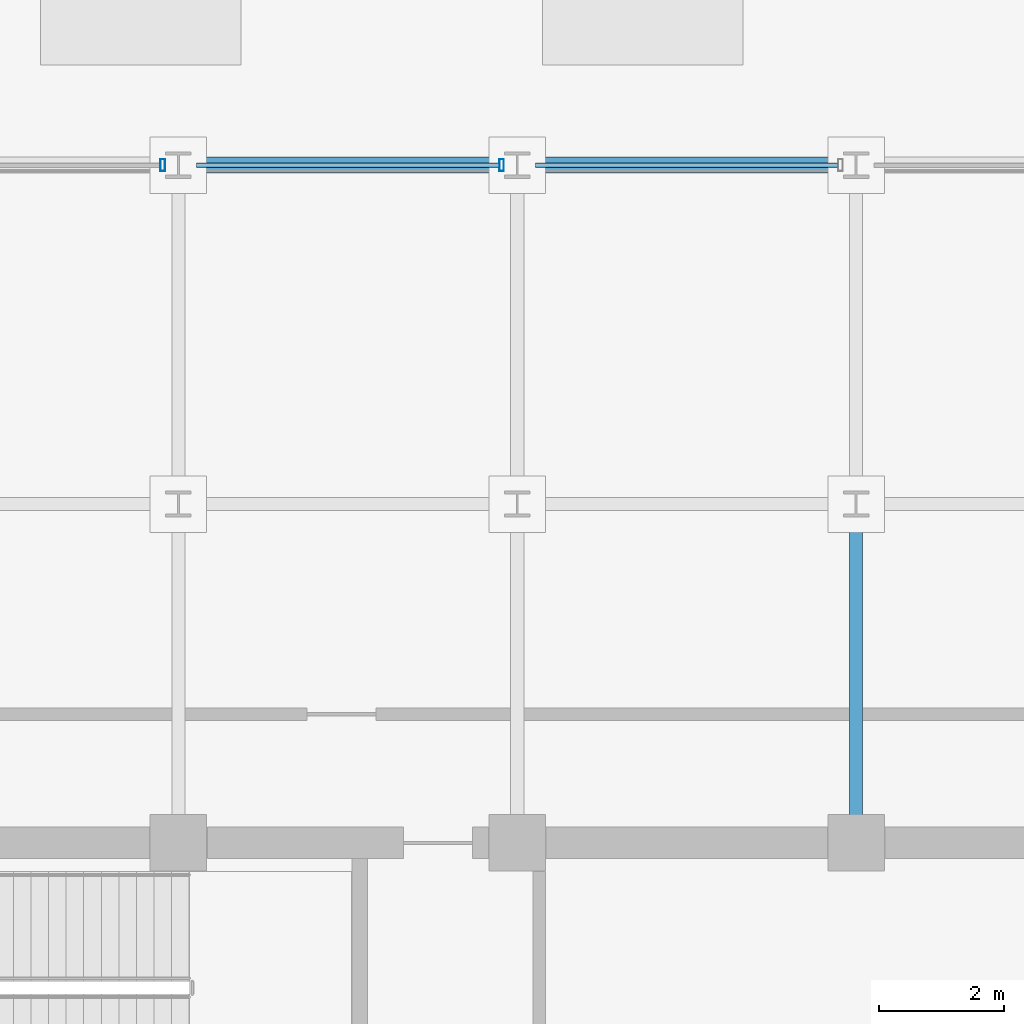
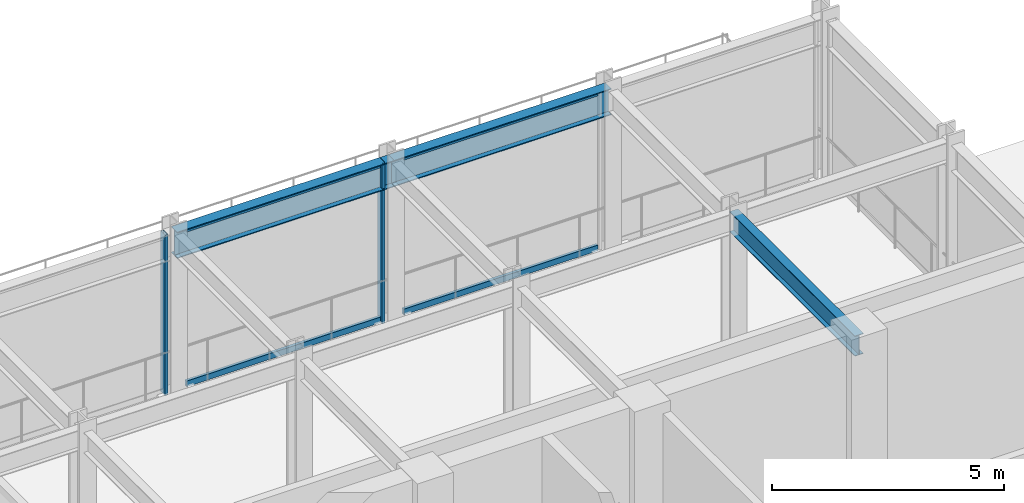
# One storey, part 11 of 22: 6 members, 3 beams, 1 element without a shape of its own.
"""IFC4 building model written with IfcOpenShell, lengths in metres."""

from ifc_helpers import new_model, si_unit, direction, frame, origin, origin_2d, place, context, subcontext, project, spatial, hollow_rectangle, i_section, extrude, material, layer, layer_set, material_profile, profile_set, type_object, element, aggregate, save


model = new_model("IFC4")

# Units and contexts
model_context = context("Model", 3, precision=1e-05, world=origin(), true_north=direction((0.0, 1.0)))
body_context = subcontext(model_context, "Body", "Model", "MODEL_VIEW")
ifc_project = project(units=[si_unit("LENGTHUNIT", "METRE"), si_unit("AREAUNIT", "SQUARE_METRE"), si_unit("VOLUMEUNIT", "CUBIC_METRE"), si_unit("PLANEANGLEUNIT", "RADIAN"), si_unit("MASSUNIT", "GRAM", prefix="KILO")], contexts=[model_context])

# Site, building, storey
site_placement = place(None, origin())
site = spatial("IfcSite", under=ifc_project, at=site_placement, CompositionType="ELEMENT")
building_placement = place(site_placement, origin())
building = spatial("IfcBuilding", under=site, at=building_placement, Name="Surkhivell Harbour Commons", CompositionType="ELEMENT")
storey_placement = place(building_placement, frame((0.0, 0.0, 337.5)))
storey = spatial("IfcBuildingStorey", under=building, at=storey_placement, Name="L88", CompositionType="ELEMENT", Elevation=337.5)

# Beams
ifc_material_1 = material(Name="Steel S355", Category="steel")
ifc_material_profile_1 = material_profile(ifc_material_1, i_section(OverallWidth=0.2099609375, OverallDepth=0.537109375, WebThickness=0.0107421875, FlangeThickness=0.017333984375, at=origin_2d()), Name="UB533x210x101")
ifc_profile_set_1 = profile_set([ifc_material_profile_1], Name="Steel S355")
beam_type_1 = type_object("IfcBeamType", Name="BM-GRD-533B", PredefinedType="BEAM", material=ifc_profile_set_1)
beam_placement = place(storey_placement, frame((5.39990234375, 10.800048828125, 3.951416015625), z_axis=(0.0, 1.0, 0.0), x_axis=(-1.0, 0.0, 0.0)))
element("IfcBeam", 1, at=beam_placement, inside=storey, type_object=beam_type_1, Name="L88 Floor Girder (5.4,10.8)", PredefinedType="BEAM", context=body_context, shape_type="SweptSolid", body=[
    extrude(i_section(OverallWidth=0.2099609375, OverallDepth=0.537109375, WebThickness=0.0107421875, FlangeThickness=0.017333984375, at=origin_2d()), origin(), (0.0, 0.0, 1.0), 5.39990234375),
])
ifc_material_profile_2 = material_profile(ifc_material_1, i_section(OverallWidth=0.256103515625, OverallDepth=0.693115234375, WebThickness=0.014404296875, FlangeThickness=0.023681640625, at=origin_2d()), Name="UB686x254x170")
ifc_profile_set_2 = profile_set([ifc_material_profile_2], Name="Steel S355")
beam_type_2 = type_object("IfcBeamType", Name="BM-SPN-686", PredefinedType="SPANDREL", material=ifc_profile_set_2)
for number, where, z_axis, x_axis, name in (
    (2, (-5.39990234375, 21.60009765625, 3.87353515625), (1.0, 0.0, 0.0), (0.0, 1.0, 0.0), "L88 Tube Spandrel (-5.4,21.6)"),
    (3, (0.0, 21.60009765625, 3.87353515625), (1.0, 0.0, 0.0), (0.0, 1.0, 0.0), "L88 Tube Spandrel (0.0,21.6)"),
):
    element("IfcBeam", number, at=place(storey_placement, frame(where, z_axis=z_axis, x_axis=x_axis)), inside=storey, type_object=beam_type_2, Name=name, PredefinedType="SPANDREL", context=body_context, shape_type="SweptSolid", body=[
        extrude(i_section(OverallWidth=0.256103515625, OverallDepth=0.693115234375, WebThickness=0.014404296875, FlangeThickness=0.023681640625, at=origin_2d()), origin(), (0.0, 0.0, 1.0), 5.39990234375),
    ])

# Curtain wall, members
ifc_material_2 = material(Name="Anodised pale-metal aluminium and insulated glazing", Category="aluminium")
ifc_layer = layer(ifc_material_2, 0.22998046875)
ifc_layer_set = layer_set([ifc_layer], Name="Anodised pale-metal aluminium and insulated glazing")
curtain_wall_type = type_object("IfcCurtainWallType", Name="CW-SYS-CRN", PredefinedType="NOTDEFINED", material=ifc_layer_set)
curtain_wall_placement = place(storey_placement, origin())
curtain_wall = element("IfcCurtainWall", 4, at=curtain_wall_placement, inside=storey, type_object=curtain_wall_type, Name="L88 Curtain Wall CW-L88-C02", PredefinedType="NOTDEFINED")
ifc_material_3 = material(Name="Anodised pale-metal aluminium alloy 6063-T6", Category="aluminium")
ifc_material_profile_3 = material_profile(ifc_material_3, hollow_rectangle(XDim=0.074951171875, YDim=0.18994140625, WallThickness=0.00390625, at=origin_2d()), Name="ALU-MULL-75x190")
ifc_profile_set_3 = profile_set([ifc_material_profile_3], Name="Anodised pale-metal aluminium alloy 6063-T6")
member_type_1 = type_object("IfcMemberType", Name="CWM-190", PredefinedType="MULLION", material=ifc_profile_set_3)
member_1_placement = place(storey_placement, frame((-0.24951171875, 21.60009765625, 0.0), z_axis=(0.0, 0.0, 1.0), x_axis=(-1.0, 0.0, 0.0)))
member_1 = element("IfcMember", 5, at=member_1_placement, type_object=member_type_1, Name="CW-CRN mullion 3", PredefinedType="MULLION", context=body_context, shape_type="SweptSolid", body=[
    extrude(hollow_rectangle(XDim=0.074951171875, YDim=0.18994140625, WallThickness=0.00390625, at=origin_2d()), origin(), (0.0, 0.0, 1.0), 4.219970703125),
])
member_2_placement = place(storey_placement, frame((-5.6494140625, 21.60009765625, 0.0), z_axis=(0.0, 0.0, 1.0), x_axis=(-1.0, 0.0, 0.0)))
member_2 = element("IfcMember", 6, at=member_2_placement, type_object=member_type_1, Name="CW-CRN mullion 4", PredefinedType="MULLION", context=body_context, shape_type="SweptSolid", body=[
    extrude(hollow_rectangle(XDim=0.074951171875, YDim=0.18994140625, WallThickness=0.00390625, at=origin_2d()), origin(), (0.0, 0.0, 1.0), 4.219970703125),
])
ifc_material_profile_4 = material_profile(ifc_material_3, hollow_rectangle(XDim=0.074951171875, YDim=0.14990234375, WallThickness=0.00341796875, at=origin_2d()), Name="ALU-TRAN-75x150")
ifc_profile_set_4 = profile_set([ifc_material_profile_4], Name="Anodised pale-metal aluminium alloy 6063-T6")
member_type_2 = type_object("IfcMemberType", Name="CWT-150", PredefinedType="USERDEFINED", material=ifc_profile_set_4)
member_3_placement = place(storey_placement, frame((5.113037109375, 21.60009765625, 0.074951171875), z_axis=(-1.0, 0.0, 0.0), x_axis=(0.0, -1.0, 0.0)))
member_3 = element("IfcMember", 7, at=member_3_placement, type_object=member_type_2, Name="CW-CRN transom 2.1", ObjectType="TRANSOM", PredefinedType="USERDEFINED", context=body_context, shape_type="SweptSolid", body=[
    extrude(hollow_rectangle(XDim=0.074951171875, YDim=0.14990234375, WallThickness=0.00341796875, at=origin_2d()), origin(), (0.0, 0.0, 1.0), 4.825927734375),
])
member_4_placement = place(storey_placement, frame((5.113037109375, 21.60009765625, 4.14501953125), z_axis=(-1.0, 0.0, 0.0), x_axis=(0.0, -1.0, 0.0)))
member_4 = element("IfcMember", 8, at=member_4_placement, type_object=member_type_2, Name="CW-CRN transom 2.2", ObjectType="TRANSOM", PredefinedType="USERDEFINED", context=body_context, shape_type="SweptSolid", body=[
    extrude(hollow_rectangle(XDim=0.074951171875, YDim=0.14990234375, WallThickness=0.00341796875, at=origin_2d()), origin(), (0.0, 0.0, 1.0), 4.825927734375),
])
member_5_placement = place(storey_placement, frame((-0.287109375, 21.60009765625, 0.074951171875), z_axis=(-1.0, 0.0, 0.0), x_axis=(0.0, -1.0, 0.0)))
member_5 = element("IfcMember", 9, at=member_5_placement, type_object=member_type_2, Name="CW-CRN transom 3.1", ObjectType="TRANSOM", PredefinedType="USERDEFINED", context=body_context, shape_type="SweptSolid", body=[
    extrude(hollow_rectangle(XDim=0.074951171875, YDim=0.14990234375, WallThickness=0.00341796875, at=origin_2d()), origin(), (0.0, 0.0, 1.0), 4.825927734375),
])
member_6_placement = place(storey_placement, frame((-0.287109375, 21.60009765625, 4.14501953125), z_axis=(-1.0, 0.0, 0.0), x_axis=(0.0, -1.0, 0.0)))
member_6 = element("IfcMember", 10, at=member_6_placement, type_object=member_type_2, Name="CW-CRN transom 3.2", ObjectType="TRANSOM", PredefinedType="USERDEFINED", context=body_context, shape_type="SweptSolid", body=[
    extrude(hollow_rectangle(XDim=0.074951171875, YDim=0.14990234375, WallThickness=0.00341796875, at=origin_2d()), origin(), (0.0, 0.0, 1.0), 4.825927734375),
])
aggregate(curtain_wall, [member_3, member_4, member_1, member_5, member_6, member_2])

save(model, "model.ifc")
